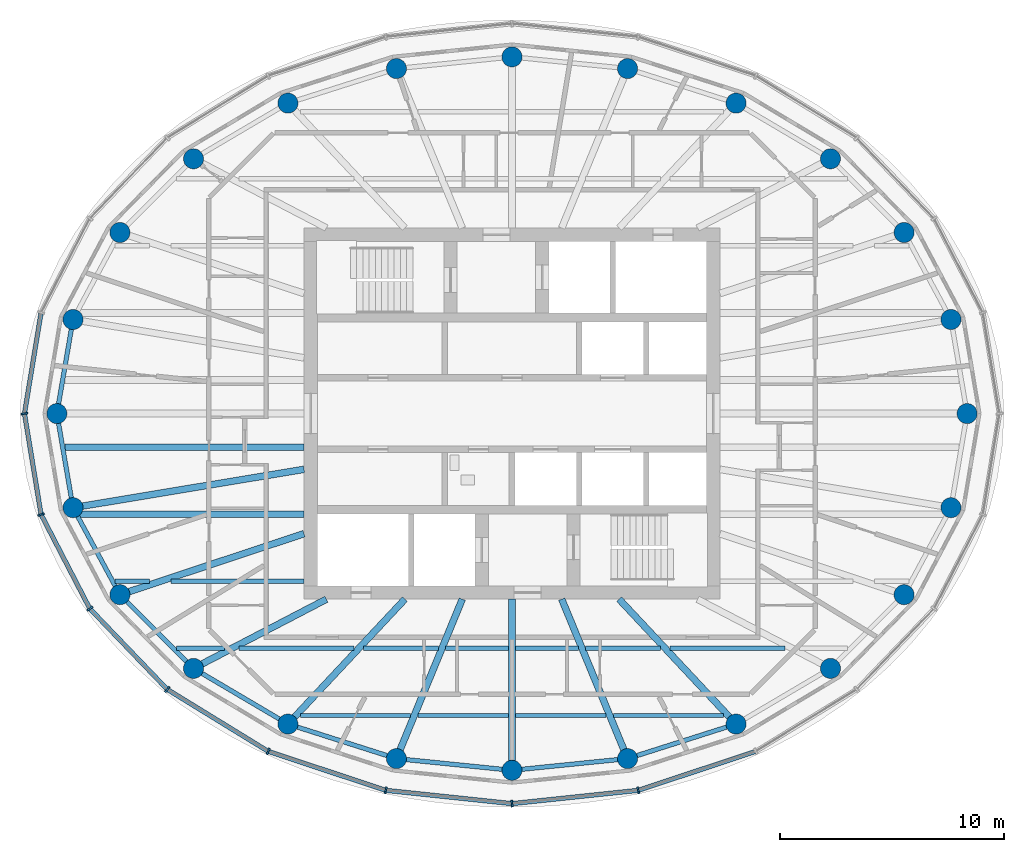
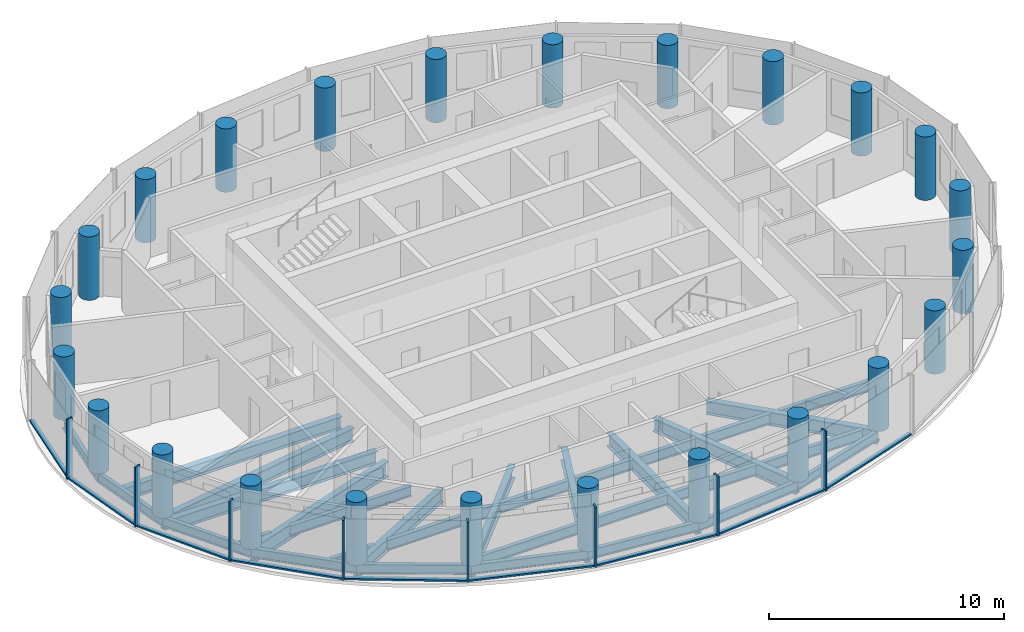
# One storey, part 1 of 12: 32 beams, 24 columns, 17 members, 3 elements without a shape of their own.
"""IFC4 building model written with IfcOpenShell, lengths in metres."""

from ifc_helpers import new_model, si_unit, direction, frame, origin, origin_2d, place, context, subcontext, project, spatial, rectangle, circle, i_section, extrude, material, material_profile, profile_set, type_object, element, aggregate, save


model = new_model("IFC4")

# Units and contexts
model_context = context("Model", 3, precision=1e-05, world=origin(), true_north=direction((0.0, 1.0)))
body_context = subcontext(model_context, "Body", "Model", "MODEL_VIEW")
ifc_project = project(units=[si_unit("LENGTHUNIT", "METRE"), si_unit("AREAUNIT", "SQUARE_METRE"), si_unit("VOLUMEUNIT", "CUBIC_METRE"), si_unit("PLANEANGLEUNIT", "RADIAN"), si_unit("MASSUNIT", "GRAM", prefix="KILO")], contexts=[model_context])

# Site, building, storey
site_placement = place(None, origin())
site = spatial("IfcSite", under=ifc_project, at=site_placement, CompositionType="ELEMENT")
building_placement = place(site_placement, origin())
building = spatial("IfcBuilding", under=site, at=building_placement, Name="Hankou Lantern Tower", CompositionType="ELEMENT")
storey_placement = place(building_placement, frame((0.0, 0.0, 222.60009765625)))
storey = spatial("IfcBuildingStorey", under=building, at=storey_placement, Name="L60", CompositionType="ELEMENT", Elevation=222.60009765625)

# Columns
ifc_material_1 = material(Name="Concrete C50", Category="concrete")
ifc_material_profile_1 = material_profile(ifc_material_1, circle(Radius=0.449951171875, at=origin_2d()), Name="RC D900")
ifc_profile_set_1 = profile_set([ifc_material_profile_1], Name="Concrete C50")
column_type = type_object("IfcColumnType", Name="TC5 PERIMETER COLUMN RC D900", PredefinedType="COLUMN", material=ifc_profile_set_1)
for number, where, z_axis, x_axis, name in (
    (1, (20.35009765625, 0.0, 0.0), (0.0, 0.0, 1.0), (1.0, 0.0, 0.0), "Column R01 L60"),
    (2, (19.629150390625, 4.207763671875, 0.0), (0.0, 0.0, 1.0), (1.0, 0.0, 0.0), "Column R02 L60"),
    (3, (17.5322265625, 8.097900390625, 0.0), (0.0, 0.0, 1.0), (1.0, 0.0, 0.0), "Column R03 L60"),
    (4, (14.241455078125, 11.393310546875, 0.0), (0.0, 0.0, 1.0), (1.0, 0.0, 0.0), "Column R04 L60"),
    (5, (10.01904296875, 13.8828125, 0.0), (0.0, 0.0, 1.0), (1.0, 0.0, 0.0), "Column R05 L60"),
    (6, (5.167236328125, 15.42724609375, 0.0), (0.0, 0.0, 1.0), (1.0, 0.0, 0.0), "Column R06 L60"),
    (7, (0.0, 15.949951171875, 0.0), (0.0, 0.0, 1.0), (1.0, 0.0, 0.0), "Column R07 L60"),
    (8, (-5.167236328125, 15.42724609375, 0.0), (0.0, 0.0, 1.0), (1.0, 0.0, 0.0), "Column R08 L60"),
    (9, (-10.01904296875, 13.8828125, 0.0), (0.0, 0.0, 1.0), (1.0, 0.0, 0.0), "Column R09 L60"),
    (10, (-14.241455078125, 11.393310546875, 0.0), (0.0, 0.0, 1.0), (1.0, 0.0, 0.0), "Column R10 L60"),
    (11, (-17.5322265625, 8.097900390625, 0.0), (0.0, 0.0, 1.0), (1.0, 0.0, 0.0), "Column R11 L60"),
    (12, (-19.629150390625, 4.207763671875, 0.0), (0.0, 0.0, 1.0), (1.0, 0.0, 0.0), "Column R12 L60"),
    (13, (-20.35009765625, 0.0, 0.0), (0.0, 0.0, 1.0), (1.0, 0.0, 0.0), "Column R13 L60"),
    (14, (-19.629150390625, -4.207763671875, 0.0), (0.0, 0.0, 1.0), (1.0, 0.0, 0.0), "Column R14 L60"),
    (15, (-17.5322265625, -8.097900390625, 0.0), (0.0, 0.0, 1.0), (1.0, 0.0, 0.0), "Column R15 L60"),
    (16, (-14.241455078125, -11.393310546875, 0.0), (0.0, 0.0, 1.0), (1.0, 0.0, 0.0), "Column R16 L60"),
    (17, (-10.01904296875, -13.8828125, 0.0), (0.0, 0.0, 1.0), (1.0, 0.0, 0.0), "Column R17 L60"),
    (18, (-5.167236328125, -15.42724609375, 0.0), (0.0, 0.0, 1.0), (1.0, 0.0, 0.0), "Column R18 L60"),
    (19, (0.0, -15.949951171875, 0.0), (0.0, 0.0, 1.0), (1.0, 0.0, 0.0), "Column R19 L60"),
    (20, (5.167236328125, -15.42724609375, 0.0), (0.0, 0.0, 1.0), (1.0, 0.0, 0.0), "Column R20 L60"),
    (21, (10.01904296875, -13.8828125, 0.0), (0.0, 0.0, 1.0), (1.0, 0.0, 0.0), "Column R21 L60"),
    (22, (14.241455078125, -11.393310546875, 0.0), (0.0, 0.0, 1.0), (1.0, 0.0, 0.0), "Column R22 L60"),
    (23, (17.5322265625, -8.097900390625, 0.0), (0.0, 0.0, 1.0), (1.0, 0.0, 0.0), "Column R23 L60"),
    (24, (19.629150390625, -4.207763671875, 0.0), (0.0, 0.0, 1.0), (1.0, 0.0, 0.0), "Column R24 L60"),
):
    element("IfcColumn", number, at=place(storey_placement, frame(where, z_axis=z_axis, x_axis=x_axis)), inside=storey, type_object=column_type, Name=name, PredefinedType="COLUMN", context=body_context, shape_type="SweptSolid", body=[
        extrude(circle(Radius=0.449951171875, at=origin_2d()), origin(), (0.0, 0.0, 1.0), 3.2998046875),
    ])

# Beams
ifc_material_2 = material(Name="Steel Q355B", Category="steel")
ifc_material_profile_2 = material_profile(ifc_material_2, i_section(OverallWidth=0.199951171875, OverallDepth=0.5, WebThickness=0.010009765625, FlangeThickness=0.01611328125, FilletRadius=0.012939453125, at=origin_2d()), Name="HN500x200x10x16")
ifc_profile_set_2 = profile_set([ifc_material_profile_2], Name="Steel Q355B")
beam_type_1 = type_object("IfcBeamType", Name="EB5 RING BEAM HN500x200x10x16", PredefinedType="SPANDREL", material=ifc_profile_set_2)
for number, where, z_axis, x_axis, name in (
    (25, (-19.629150390625, 4.207763671875, -0.43017578125), (-0.168876512999, -0.98563721691, 0.0), (0.98563721691, -0.168876512999, 0.0), "Ring beam R12-R13 L60"),
    (26, (-20.35009765625, 0.0, -0.43017578125), (0.168876512999, -0.98563721691, 0.0), (0.98563721691, 0.168876512999, 0.0), "Ring beam R13-R14 L60"),
):
    element("IfcBeam", number, at=place(storey_placement, frame(where, z_axis=z_axis, x_axis=x_axis)), inside=storey, type_object=beam_type_1, Name=name, PredefinedType="SPANDREL", context=body_context, shape_type="SweptSolid", body=[
        extrude(i_section(OverallWidth=0.199951171875, OverallDepth=0.5, WebThickness=0.010009765625, FlangeThickness=0.01611328125, FilletRadius=0.012939453125, at=origin_2d()), origin(), (0.0, 0.0, 1.0), 4.26904296875),
    ])
beam_1_placement = place(storey_placement, frame((-19.629150390625, -4.207763671875, -0.43017578125), z_axis=(0.474491806611, -0.880259919262, 0.0), x_axis=(0.880259919262, 0.474491806611, 0.0)))
element("IfcBeam", 27, at=beam_1_placement, inside=storey, type_object=beam_type_1, Name="Ring beam R14-R15 L60", PredefinedType="SPANDREL", context=body_context, shape_type="SweptSolid", body=[
    extrude(i_section(OverallWidth=0.199951171875, OverallDepth=0.5, WebThickness=0.010009765625, FlangeThickness=0.01611328125, FilletRadius=0.012939453125, at=origin_2d()), origin(), (0.0, 0.0, 1.0), 4.419189453125),
])
beam_2_placement = place(storey_placement, frame((-17.5322265625, -8.097900390625, -0.43017578125), z_axis=(0.706608588034, -0.707604623583, 0.0), x_axis=(0.707604623583, 0.706608588034, 0.0)))
element("IfcBeam", 28, at=beam_2_placement, inside=storey, type_object=beam_type_1, Name="Ring beam R15-R16 L60", PredefinedType="SPANDREL", context=body_context, shape_type="SweptSolid", body=[
    extrude(i_section(OverallWidth=0.199951171875, OverallDepth=0.5, WebThickness=0.010009765625, FlangeThickness=0.01611328125, FilletRadius=0.012939453125, at=origin_2d()), origin(), (0.0, 0.0, 1.0), 4.6572265625),
])
beam_3_placement = place(storey_placement, frame((-14.241455078125, -11.393310546875, -0.43017578125), z_axis=(0.861422897323, -0.507888365655, 0.0), x_axis=(0.507888365655, 0.861422897323, 0.0)))
element("IfcBeam", 29, at=beam_3_placement, inside=storey, type_object=beam_type_1, Name="Ring beam R16-R17 L60", PredefinedType="SPANDREL", context=body_context, shape_type="SweptSolid", body=[
    extrude(i_section(OverallWidth=0.199951171875, OverallDepth=0.5, WebThickness=0.010009765625, FlangeThickness=0.01611328125, FilletRadius=0.012939453125, at=origin_2d()), origin(), (0.0, 0.0, 1.0), 4.901611328125),
])
beam_4_placement = place(storey_placement, frame((-10.01904296875, -13.8828125, -0.43017578125), z_axis=(0.952887359315, -0.303324381574, 0.0), x_axis=(0.303324381574, 0.952887359315, 0.0)))
element("IfcBeam", 30, at=beam_4_placement, inside=storey, type_object=beam_type_1, Name="Ring beam R17-R18 L60", PredefinedType="SPANDREL", context=body_context, shape_type="SweptSolid", body=[
    extrude(i_section(OverallWidth=0.199951171875, OverallDepth=0.5, WebThickness=0.010009765625, FlangeThickness=0.01611328125, FilletRadius=0.012939453125, at=origin_2d()), origin(), (0.0, 0.0, 1.0), 5.091796875),
])
for number, where, z_axis, x_axis, name in (
    (31, (-5.167236328125, -15.42724609375, -0.43017578125), (0.994922507736, -0.100643944676, 0.0), (0.100643944676, 0.994922507736, 0.0), "Ring beam R18-R19 L60"),
    (32, (0.0, -15.949951171875, -0.43017578125), (0.994922507736, 0.100643944676, 0.0), (-0.100643944676, 0.994922507736, 0.0), "Ring beam R19-R20 L60"),
):
    element("IfcBeam", number, at=place(storey_placement, frame(where, z_axis=z_axis, x_axis=x_axis)), inside=storey, type_object=beam_type_1, Name=name, PredefinedType="SPANDREL", context=body_context, shape_type="SweptSolid", body=[
        extrude(i_section(OverallWidth=0.199951171875, OverallDepth=0.5, WebThickness=0.010009765625, FlangeThickness=0.01611328125, FilletRadius=0.012939453125, at=origin_2d()), origin(), (0.0, 0.0, 1.0), 5.193603515625),
    ])
beam_5_placement = place(storey_placement, frame((5.167236328125, -15.42724609375, -0.43017578125), z_axis=(0.952887359315, 0.303324381574, 0.0), x_axis=(-0.303324381574, 0.952887359315, 0.0)))
element("IfcBeam", 33, at=beam_5_placement, inside=storey, type_object=beam_type_1, Name="Ring beam R20-R21 L60", PredefinedType="SPANDREL", context=body_context, shape_type="SweptSolid", body=[
    extrude(i_section(OverallWidth=0.199951171875, OverallDepth=0.5, WebThickness=0.010009765625, FlangeThickness=0.01611328125, FilletRadius=0.012939453125, at=origin_2d()), origin(), (0.0, 0.0, 1.0), 5.091796875),
])

# Curtain wall, members
ifc_material_3 = material(Name="Glass, dark grey tinted laminated", Category="glass")
curtain_wall_type = type_object("IfcCurtainWallType", Name="CWD OUTER SKIN SUITE", PredefinedType="USERDEFINED", material=ifc_material_3)
curtain_wall_1_placement = place(storey_placement, origin())
curtain_wall_1 = element("IfcCurtainWall", 34, at=curtain_wall_1_placement, inside=storey, type_object=curtain_wall_type, Name="CWD L60 OS3", ObjectType="OUTER SKIN SUITE", PredefinedType="USERDEFINED")
ifc_material_4 = material(Name="Aluminium, black anodised", Category="aluminium")
ifc_material_profile_3 = material_profile(ifc_material_4, rectangle(XDim=0.080078125, YDim=0.300048828125, at=origin_2d()), Name="MU1 80X300")
ifc_profile_set_3 = profile_set([ifc_material_profile_3], Name="Aluminium, black anodised")
member_type_1 = type_object("IfcMemberType", Name="MU1 OUTER SKIN MULLION 80X300", PredefinedType="MULLION", material=ifc_profile_set_3)
member_1_placement = place(storey_placement, frame((-21.800048828125, 0.0, 0.0), z_axis=(0.0, 0.0, 1.0), x_axis=(0.162381515188, -0.986728049427, 0.0)))
member_1 = element("IfcMember", 35, at=member_1_placement, type_object=member_type_1, Name="CWD mullion 1", PredefinedType="MULLION", context=body_context, shape_type="SweptSolid", body=[
    extrude(rectangle(XDim=0.080078125, YDim=0.300048828125, at=origin_2d()), origin(), (0.0, 0.0, 1.0), 3.119873046875),
])
member_2_placement = place(storey_placement, frame((-21.05712890625, -4.513916015625, 0.0), z_axis=(0.0, 0.0, 1.0), x_axis=(0.317595577365, -0.94822626479, 0.0)))
member_2 = element("IfcMember", 36, at=member_2_placement, type_object=member_type_1, Name="CWD mullion 2", PredefinedType="MULLION", context=body_context, shape_type="SweptSolid", body=[
    extrude(rectangle(XDim=0.080078125, YDim=0.300048828125, at=origin_2d()), origin(), (0.0, 0.0, 1.0), 3.119873046875),
])
member_3_placement = place(storey_placement, frame((-18.87939453125, -8.719970703125, 0.0), z_axis=(0.0, 0.0, 1.0), x_axis=(0.585205735974, -0.810884854084, 0.0)))
member_3 = element("IfcMember", 37, at=member_3_placement, type_object=member_type_1, Name="CWD mullion 3", PredefinedType="MULLION", context=body_context, shape_type="SweptSolid", body=[
    extrude(rectangle(XDim=0.080078125, YDim=0.300048828125, at=origin_2d()), origin(), (0.0, 0.0, 1.0), 3.119873046875),
])
member_4_placement = place(storey_placement, frame((-15.4150390625, -12.33203125, 0.0), z_axis=(0.0, 0.0, 1.0), x_axis=(0.780868809444, -0.624695047553, 0.0)))
member_4 = element("IfcMember", 38, at=member_4_placement, type_object=member_type_1, Name="CWD mullion 4", PredefinedType="MULLION", context=body_context, shape_type="SweptSolid", body=[
    extrude(rectangle(XDim=0.080078125, YDim=0.300048828125, at=origin_2d()), origin(), (0.0, 0.0, 1.0), 3.119873046875),
])
member_5_placement = place(storey_placement, frame((-10.89990234375, -15.103515625, 0.0), z_axis=(0.0, 0.0, 1.0), x_axis=(0.907841299004, -0.419313934686, 0.0)))
member_5 = element("IfcMember", 39, at=member_5_placement, type_object=member_type_1, Name="CWD mullion 5", PredefinedType="MULLION", context=body_context, shape_type="SweptSolid", body=[
    extrude(rectangle(XDim=0.080078125, YDim=0.300048828125, at=origin_2d()), origin(), (0.0, 0.0, 1.0), 3.119873046875),
])
member_6_placement = place(storey_placement, frame((-5.642333984375, -16.845703125, 0.0), z_axis=(0.0, 0.0, 1.0), x_axis=(0.977787659625, -0.209597931016, 0.0)))
member_6 = element("IfcMember", 40, at=member_6_placement, type_object=member_type_1, Name="CWD mullion 6", PredefinedType="MULLION", context=body_context, shape_type="SweptSolid", body=[
    extrude(rectangle(XDim=0.080078125, YDim=0.300048828125, at=origin_2d()), origin(), (0.0, 0.0, 1.0), 3.119873046875),
])

curtain_wall_2_placement = place(storey_placement, origin())
curtain_wall_2 = element("IfcCurtainWall", 41, at=curtain_wall_2_placement, inside=storey, type_object=curtain_wall_type, Name="CWD L60 OS4", ObjectType="OUTER SKIN SUITE", PredefinedType="USERDEFINED")
member_7_placement = place(storey_placement, frame((0.0, -17.43994140625, 0.0), z_axis=(0.0, 0.0, 1.0), x_axis=(0.994499359107, 0.104742659579, 0.0)))
member_7 = element("IfcMember", 42, at=member_7_placement, type_object=member_type_1, Name="CWD mullion 1", PredefinedType="MULLION", context=body_context, shape_type="SweptSolid", body=[
    extrude(rectangle(XDim=0.080078125, YDim=0.300048828125, at=origin_2d()), origin(), (0.0, 0.0, 1.0), 3.119873046875),
])
member_8_placement = place(storey_placement, frame((5.642333984375, -16.845703125, 0.0), z_axis=(0.0, 0.0, 1.0), x_axis=(0.977787659625, 0.209597931016, 0.0)))
member_8 = element("IfcMember", 43, at=member_8_placement, type_object=member_type_1, Name="CWD mullion 2", PredefinedType="MULLION", context=body_context, shape_type="SweptSolid", body=[
    extrude(rectangle(XDim=0.080078125, YDim=0.300048828125, at=origin_2d()), origin(), (0.0, 0.0, 1.0), 3.119873046875),
])

# Beams
ifc_material_5 = material(Name="Steel Q355B", Category="steel")
ifc_material_profile_4 = material_profile(ifc_material_5, i_section(OverallWidth=0.300048828125, OverallDepth=0.800048828125, WebThickness=0.013916015625, FlangeThickness=0.02587890625, FilletRadius=0.01806640625, at=origin_2d()), Name="HN800x300x14x26")
ifc_profile_set_4 = profile_set([ifc_material_profile_4], Name="Steel Q355B")
beam_type_2 = type_object("IfcBeamType", Name="RB11 RADIAL BEAM HN800x300x14x26", PredefinedType="BEAM", material=ifc_profile_set_4)
beam_6_placement = place(storey_placement, frame((-9.300048828125, -5.369384765625, -0.580078125), z_axis=(-0.949219608576, -0.314614263337, 0.0), x_axis=(0.314614263337, -0.949219608576, 0.0)))
element("IfcBeam", 44, at=beam_6_placement, inside=storey, type_object=beam_type_2, Name="Radial beam R15 L60", PredefinedType="BEAM", context=body_context, shape_type="SweptSolid", body=[
    extrude(i_section(OverallWidth=0.300048828125, OverallDepth=0.800048828125, WebThickness=0.013916015625, FlangeThickness=0.02587890625, FilletRadius=0.01806640625, at=origin_2d()), origin(), (0.0, 0.0, 1.0), 8.672607421875),
])
ifc_material_6 = material(Name="Steel Q355B", Category="steel")
ifc_material_profile_5 = material_profile(ifc_material_6, i_section(OverallWidth=0.300048828125, OverallDepth=0.699951171875, WebThickness=0.012939453125, FlangeThickness=0.02392578125, FilletRadius=0.01806640625, at=origin_2d()), Name="HN700x300x13x24")
ifc_profile_set_5 = profile_set([ifc_material_profile_5], Name="Steel Q355B")
beam_type_3 = type_object("IfcBeamType", Name="RB9 RADIAL BEAM HN700x300x13x24", PredefinedType="BEAM", material=ifc_profile_set_5)
beam_7_placement = place(storey_placement, frame((-9.300048828125, -2.491943359375, -0.530029296875), z_axis=(-0.986482007061, -0.163869612027, 0.0), x_axis=(0.163869612027, -0.986482007061, 0.0)))
element("IfcBeam", 45, at=beam_7_placement, inside=storey, type_object=beam_type_3, Name="Radial beam R14 L60", PredefinedType="BEAM", context=body_context, shape_type="SweptSolid", body=[
    extrude(i_section(OverallWidth=0.300048828125, OverallDepth=0.699951171875, WebThickness=0.012939453125, FlangeThickness=0.02392578125, FilletRadius=0.01806640625, at=origin_2d()), origin(), (0.0, 0.0, 1.0), 10.470703125),
])
beam_8_placement = place(storey_placement, frame((-8.300048828125, -8.300048828125, -0.530029296875), z_axis=(-0.886988734783, -0.461791061378, 0.0), x_axis=(0.461791061378, -0.886988734783, 0.0)))
element("IfcBeam", 46, at=beam_8_placement, inside=storey, type_object=beam_type_3, Name="Radial beam R16 L60", PredefinedType="BEAM", context=body_context, shape_type="SweptSolid", body=[
    extrude(i_section(OverallWidth=0.300048828125, OverallDepth=0.699951171875, WebThickness=0.012939453125, FlangeThickness=0.02392578125, FilletRadius=0.01806640625, at=origin_2d()), origin(), (0.0, 0.0, 1.0), 6.698486328125),
])
beam_9_placement = place(storey_placement, frame((-4.7919921875, -8.300048828125, -0.530029296875), z_axis=(-0.68346844743, -0.729980055459, 0.0), x_axis=(0.729980055459, -0.68346844743, 0.0)))
element("IfcBeam", 47, at=beam_9_placement, inside=storey, type_object=beam_type_3, Name="Radial beam R17 L60", PredefinedType="BEAM", context=body_context, shape_type="SweptSolid", body=[
    extrude(i_section(OverallWidth=0.300048828125, OverallDepth=0.699951171875, WebThickness=0.012939453125, FlangeThickness=0.02392578125, FilletRadius=0.01806640625, at=origin_2d()), origin(), (0.0, 0.0, 1.0), 7.64794921875),
])
beam_10_placement = place(storey_placement, frame((-2.223876953125, -8.300048828125, -0.530029296875), z_axis=(-0.381706648123, -0.924283525104, 0.0), x_axis=(0.924283525104, -0.381706648123, 0.0)))
element("IfcBeam", 48, at=beam_10_placement, inside=storey, type_object=beam_type_3, Name="Radial beam R18 L60", PredefinedType="BEAM", context=body_context, shape_type="SweptSolid", body=[
    extrude(i_section(OverallWidth=0.300048828125, OverallDepth=0.699951171875, WebThickness=0.012939453125, FlangeThickness=0.02392578125, FilletRadius=0.01806640625, at=origin_2d()), origin(), (0.0, 0.0, 1.0), 7.7109375),
])
beam_11_placement = place(storey_placement, frame((0.0, -8.300048828125, -0.530029296875), z_axis=(0.0, -1.0, 0.0), x_axis=(1.0, 0.0, 0.0)))
element("IfcBeam", 49, at=beam_11_placement, inside=storey, type_object=beam_type_3, Name="Radial beam R19 L60", PredefinedType="BEAM", context=body_context, shape_type="SweptSolid", body=[
    extrude(i_section(OverallWidth=0.300048828125, OverallDepth=0.699951171875, WebThickness=0.012939453125, FlangeThickness=0.02392578125, FilletRadius=0.01806640625, at=origin_2d()), origin(), (0.0, 0.0, 1.0), 7.64990234375),
])
beam_12_placement = place(storey_placement, frame((2.223876953125, -8.300048828125, -0.530029296875), z_axis=(0.381706648123, -0.924283525104, 0.0), x_axis=(0.924283525104, 0.381706648123, 0.0)))
element("IfcBeam", 50, at=beam_12_placement, inside=storey, type_object=beam_type_3, Name="Radial beam R20 L60", PredefinedType="BEAM", context=body_context, shape_type="SweptSolid", body=[
    extrude(i_section(OverallWidth=0.300048828125, OverallDepth=0.699951171875, WebThickness=0.012939453125, FlangeThickness=0.02392578125, FilletRadius=0.01806640625, at=origin_2d()), origin(), (0.0, 0.0, 1.0), 7.7109375),
])
beam_13_placement = place(storey_placement, frame((4.7919921875, -8.300048828125, -0.530029296875), z_axis=(0.68346844743, -0.729980055459, 0.0), x_axis=(0.729980055459, 0.68346844743, 0.0)))
element("IfcBeam", 51, at=beam_13_placement, inside=storey, type_object=beam_type_3, Name="Radial beam R21 L60", PredefinedType="BEAM", context=body_context, shape_type="SweptSolid", body=[
    extrude(i_section(OverallWidth=0.300048828125, OverallDepth=0.699951171875, WebThickness=0.012939453125, FlangeThickness=0.02392578125, FilletRadius=0.01806640625, at=origin_2d()), origin(), (0.0, 0.0, 1.0), 7.64794921875),
])
ifc_material_7 = material(Name="Steel Q355B", Category="steel")
ifc_material_profile_6 = material_profile(ifc_material_7, i_section(OverallWidth=0.199951171875, OverallDepth=0.550048828125, WebThickness=0.010009765625, FlangeThickness=0.01611328125, FilletRadius=0.012939453125, at=origin_2d()), Name="HN550x200x10x16")
ifc_profile_set_6 = profile_set([ifc_material_profile_6], Name="Steel Q355B")
beam_type_4 = type_object("IfcBeamType", Name="SB6 SECONDARY BEAM HN550x200x10x16", PredefinedType="JOIST", material=ifc_profile_set_6)
beam_14_placement = place(storey_placement, frame((-9.455078125, -13.5, -0.455078125), z_axis=(1.0, 0.0, 0.0), x_axis=(0.0, 1.0, 0.0)))
element("IfcBeam", 52, at=beam_14_placement, inside=storey, type_object=beam_type_4, Name="Floor joist J001 L60", PredefinedType="JOIST", context=body_context, shape_type="SweptSolid", body=[
    extrude(i_section(OverallWidth=0.199951171875, OverallDepth=0.550048828125, WebThickness=0.010009765625, FlangeThickness=0.01611328125, FilletRadius=0.012939453125, at=origin_2d()), origin(), (0.0, 0.0, 1.0), 4.92138671875),
])
for number, where, z_axis, x_axis, name in (
    (53, (-4.208984375, -13.5, -0.455078125), (1.0, 0.0, 0.0), (0.0, 1.0, 0.0), "Floor joist J002 L60"),
    (54, (0.14990234375, -13.5, -0.455078125), (1.0, 0.0, 0.0), (0.0, 1.0, 0.0), "Floor joist J003 L60"),
):
    element("IfcBeam", number, at=place(storey_placement, frame(where, z_axis=z_axis, x_axis=x_axis)), inside=storey, type_object=beam_type_4, Name=name, PredefinedType="JOIST", context=body_context, shape_type="SweptSolid", body=[
        extrude(i_section(OverallWidth=0.199951171875, OverallDepth=0.550048828125, WebThickness=0.010009765625, FlangeThickness=0.01611328125, FilletRadius=0.012939453125, at=origin_2d()), origin(), (0.0, 0.0, 1.0), 4.05908203125),
    ])
beam_15_placement = place(storey_placement, frame((4.53369140625, -13.5, -0.455078125), z_axis=(1.0, 0.0, 0.0), x_axis=(0.0, 1.0, 0.0)))
element("IfcBeam", 55, at=beam_15_placement, inside=storey, type_object=beam_type_4, Name="Floor joist J004 L60", PredefinedType="JOIST", context=body_context, shape_type="SweptSolid", body=[
    extrude(i_section(OverallWidth=0.199951171875, OverallDepth=0.550048828125, WebThickness=0.010009765625, FlangeThickness=0.01611328125, FilletRadius=0.012939453125, at=origin_2d()), origin(), (0.0, 0.0, 1.0), 4.92138671875),
])
beam_16_placement = place(storey_placement, frame((-14.9921875, -10.5, -0.455078125), z_axis=(1.0, 0.0, 0.0), x_axis=(0.0, 1.0, 0.0)))
element("IfcBeam", 56, at=beam_16_placement, inside=storey, type_object=beam_type_4, Name="Floor joist J005 L60", PredefinedType="JOIST", context=body_context, shape_type="SweptSolid", body=[
    extrude(i_section(OverallWidth=0.199951171875, OverallDepth=0.550048828125, WebThickness=0.010009765625, FlangeThickness=0.01611328125, FilletRadius=0.012939453125, at=origin_2d()), origin(), (0.0, 0.0, 1.0), 2.1416015625),
])
beam_17_placement = place(storey_placement, frame((-12.200927734375, -10.5, -0.455078125), z_axis=(1.0, 0.0, 0.0), x_axis=(0.0, 1.0, 0.0)))
element("IfcBeam", 57, at=beam_17_placement, inside=storey, type_object=beam_type_4, Name="Floor joist J006 L60", PredefinedType="JOIST", context=body_context, shape_type="SweptSolid", body=[
    extrude(i_section(OverallWidth=0.199951171875, OverallDepth=0.550048828125, WebThickness=0.010009765625, FlangeThickness=0.01611328125, FilletRadius=0.012939453125, at=origin_2d()), origin(), (0.0, 0.0, 1.0), 5.1435546875),
])
beam_18_placement = place(storey_placement, frame((-6.646240234375, -10.5, -0.455078125), z_axis=(1.0, 0.0, 0.0), x_axis=(0.0, 1.0, 0.0)))
element("IfcBeam", 58, at=beam_18_placement, inside=storey, type_object=beam_type_4, Name="Floor joist J007 L60", PredefinedType="JOIST", context=body_context, shape_type="SweptSolid", body=[
    extrude(i_section(OverallWidth=0.199951171875, OverallDepth=0.550048828125, WebThickness=0.010009765625, FlangeThickness=0.01611328125, FilletRadius=0.012939453125, at=origin_2d()), origin(), (0.0, 0.0, 1.0), 3.3515625),
])
for number, where, z_axis, x_axis, name in (
    (59, (-2.97021484375, -10.5, -0.455078125), (1.0, 0.0, 0.0), (0.0, 1.0, 0.0), "Floor joist J008 L60"),
    (60, (0.14990234375, -10.5, -0.455078125), (1.0, 0.0, 0.0), (0.0, 1.0, 0.0), "Floor joist J009 L60"),
):
    element("IfcBeam", number, at=place(storey_placement, frame(where, z_axis=z_axis, x_axis=x_axis)), inside=storey, type_object=beam_type_4, Name=name, PredefinedType="JOIST", context=body_context, shape_type="SweptSolid", body=[
        extrude(i_section(OverallWidth=0.199951171875, OverallDepth=0.550048828125, WebThickness=0.010009765625, FlangeThickness=0.01611328125, FilletRadius=0.012939453125, at=origin_2d()), origin(), (0.0, 0.0, 1.0), 2.8203125),
    ])
beam_19_placement = place(storey_placement, frame((3.294677734375, -10.5, -0.455078125), z_axis=(1.0, 0.0, 0.0), x_axis=(0.0, 1.0, 0.0)))
element("IfcBeam", 61, at=beam_19_placement, inside=storey, type_object=beam_type_4, Name="Floor joist J010 L60", PredefinedType="JOIST", context=body_context, shape_type="SweptSolid", body=[
    extrude(i_section(OverallWidth=0.199951171875, OverallDepth=0.550048828125, WebThickness=0.010009765625, FlangeThickness=0.01611328125, FilletRadius=0.012939453125, at=origin_2d()), origin(), (0.0, 0.0, 1.0), 3.3515625),
])
beam_20_placement = place(storey_placement, frame((7.057373046875, -10.5, -0.455078125), z_axis=(1.0, 0.0, 0.0), x_axis=(0.0, 1.0, 0.0)))
element("IfcBeam", 62, at=beam_20_placement, inside=storey, type_object=beam_type_4, Name="Floor joist J011 L60", PredefinedType="JOIST", context=body_context, shape_type="SweptSolid", body=[
    extrude(i_section(OverallWidth=0.199951171875, OverallDepth=0.550048828125, WebThickness=0.010009765625, FlangeThickness=0.01611328125, FilletRadius=0.012939453125, at=origin_2d()), origin(), (0.0, 0.0, 1.0), 5.1435546875),
])
beam_21_placement = place(storey_placement, frame((-17.740966796875, -7.5, -0.455078125), z_axis=(1.0, 0.0, 0.0), x_axis=(0.0, 1.0, 0.0)))
element("IfcBeam", 63, at=beam_21_placement, inside=storey, type_object=beam_type_4, Name="Floor joist J013 L60", PredefinedType="JOIST", context=body_context, shape_type="SweptSolid", body=[
    extrude(i_section(OverallWidth=0.199951171875, OverallDepth=0.550048828125, WebThickness=0.010009765625, FlangeThickness=0.01611328125, FilletRadius=0.012939453125, at=origin_2d()), origin(), (0.0, 0.0, 1.0), 1.53564453125),
])
beam_22_placement = place(storey_placement, frame((-15.251708984375, -7.5, -0.455078125), z_axis=(1.0, 0.0, 0.0), x_axis=(0.0, 1.0, 0.0)))
element("IfcBeam", 64, at=beam_22_placement, inside=storey, type_object=beam_type_4, Name="Floor joist J014 L60", PredefinedType="JOIST", context=body_context, shape_type="SweptSolid", body=[
    extrude(i_section(OverallWidth=0.199951171875, OverallDepth=0.550048828125, WebThickness=0.010009765625, FlangeThickness=0.01611328125, FilletRadius=0.012939453125, at=origin_2d()), origin(), (0.0, 0.0, 1.0), 5.95166015625),
])
ifc_material_8 = material(Name="Steel Q355B", Category="steel")
ifc_material_profile_7 = material_profile(ifc_material_8, i_section(OverallWidth=0.300048828125, OverallDepth=0.64990234375, WebThickness=0.010986328125, FlangeThickness=0.01708984375, FilletRadius=0.01806640625, at=origin_2d()), Name="HN650x300x11x17")
ifc_profile_set_7 = profile_set([ifc_material_profile_7], Name="Steel Q355B")
beam_type_5 = type_object("IfcBeamType", Name="SB8 SECONDARY BEAM HN650x300x11x17", PredefinedType="JOIST", material=ifc_profile_set_7)
beam_23_placement = place(storey_placement, frame((-19.35791015625, -4.5, -0.505126953125), z_axis=(1.0, 0.0, 0.0), x_axis=(0.0, 1.0, 0.0)))
element("IfcBeam", 65, at=beam_23_placement, inside=storey, type_object=beam_type_5, Name="Floor joist J017 L60", PredefinedType="JOIST", context=body_context, shape_type="SweptSolid", body=[
    extrude(i_section(OverallWidth=0.300048828125, OverallDepth=0.64990234375, WebThickness=0.010986328125, FlangeThickness=0.01708984375, FilletRadius=0.01806640625, at=origin_2d()), origin(), (0.0, 0.0, 1.0), 10.057861328125),
])
beam_24_placement = place(storey_placement, frame((-19.991455078125, -1.5, -0.505126953125), z_axis=(1.0, 0.0, 0.0), x_axis=(0.0, 1.0, 0.0)))
element("IfcBeam", 66, at=beam_24_placement, inside=storey, type_object=beam_type_5, Name="Floor joist J019 L60", PredefinedType="JOIST", context=body_context, shape_type="SweptSolid", body=[
    extrude(i_section(OverallWidth=0.300048828125, OverallDepth=0.64990234375, WebThickness=0.010986328125, FlangeThickness=0.01708984375, FilletRadius=0.01806640625, at=origin_2d()), origin(), (0.0, 0.0, 1.0), 10.69140625),
])

# Curtain wall, member
curtain_wall_3_placement = place(storey_placement, origin())
curtain_wall_3 = element("IfcCurtainWall", 67, at=curtain_wall_3_placement, inside=storey, type_object=curtain_wall_type, Name="CWD L60 OS2", ObjectType="OUTER SKIN SUITE", PredefinedType="USERDEFINED")
ifc_material_9 = material(Name="Aluminium, black anodised", Category="aluminium")
ifc_material_profile_8 = material_profile(ifc_material_9, rectangle(XDim=0.199951171875, YDim=0.080078125, at=origin_2d()), Name="TR1 200X80")
ifc_profile_set_8 = profile_set([ifc_material_profile_8], Name="Aluminium, black anodised")
member_type_2 = type_object("IfcMemberType", Name="TR1 OUTER SKIN TRANSOM 200X80", PredefinedType="USERDEFINED", material=ifc_profile_set_8)
member_9_placement = place(storey_placement, frame((-21.063720703125, 4.474365234375, 0.039794921875), z_axis=(-0.162363822839, -0.986730960816, 0.0), x_axis=(0.986730960816, -0.162363822839, 0.0)))
member_9 = element("IfcMember", 68, at=member_9_placement, type_object=member_type_2, Name="CWD transom 6", ObjectType="TRANSOM", PredefinedType="USERDEFINED", context=body_context, shape_type="SweptSolid", body=[
    extrude(rectangle(XDim=0.199951171875, YDim=0.080078125, at=origin_2d()), origin(), (0.0, 0.0, 1.0), 4.494384765625),
])
aggregate(curtain_wall_3, [member_9])

# Member
member_10_placement = place(storey_placement, frame((-21.79345703125, -0.03955078125, 0.039794921875), z_axis=(0.162363822839, -0.986730960816, 0.0), x_axis=(0.986730960816, 0.162363822839, 0.0)))
member_10 = element("IfcMember", 69, at=member_10_placement, type_object=member_type_2, Name="CWD transom 1", ObjectType="TRANSOM", PredefinedType="USERDEFINED", context=body_context, shape_type="SweptSolid", body=[
    extrude(rectangle(XDim=0.199951171875, YDim=0.080078125, at=origin_2d()), origin(), (0.0, 0.0, 1.0), 4.494384765625),
])

member_11_placement = place(storey_placement, frame((-21.038818359375, -4.54931640625, 0.039794921875), z_axis=(0.45979371115, -0.888025755925, 0.0), x_axis=(0.888025755925, 0.45979371115, 0.0)))
member_11 = element("IfcMember", 70, at=member_11_placement, type_object=member_type_2, Name="CWD transom 2", ObjectType="TRANSOM", PredefinedType="USERDEFINED", context=body_context, shape_type="SweptSolid", body=[
    extrude(rectangle(XDim=0.199951171875, YDim=0.080078125, at=origin_2d()), origin(), (0.0, 0.0, 1.0), 4.65673828125),
])

member_12_placement = place(storey_placement, frame((-18.8515625, -8.748779296875, 0.039794921875), z_axis=(0.692204633274, -0.721701285626, 0.0), x_axis=(0.721701285626, 0.692204633274, 0.0)))
member_12 = element("IfcMember", 71, at=member_12_placement, type_object=member_type_2, Name="CWD transom 3", ObjectType="TRANSOM", PredefinedType="USERDEFINED", context=body_context, shape_type="SweptSolid", body=[
    extrude(rectangle(XDim=0.199951171875, YDim=0.080078125, at=origin_2d()), origin(), (0.0, 0.0, 1.0), 4.9248046875),
])

member_13_placement = place(storey_placement, frame((-15.380859375, -12.352783203125, 0.039794921875), z_axis=(0.852234544008, -0.523159900986, 0.0), x_axis=(0.523159900986, 0.852234544008, 0.0)))
member_13 = element("IfcMember", 72, at=member_13_placement, type_object=member_type_2, Name="CWD transom 4", ObjectType="TRANSOM", PredefinedType="USERDEFINED", context=body_context, shape_type="SweptSolid", body=[
    extrude(rectangle(XDim=0.199951171875, YDim=0.080078125, at=origin_2d()), origin(), (0.0, 0.0, 1.0), 5.2177734375),
])

member_14_placement = place(storey_placement, frame((-10.862060546875, -15.115966796875, 0.039794921875), z_axis=(0.949231947668, -0.314577032739, 0.0), x_axis=(0.314577032739, 0.949231947668, 0.0)))
member_14 = element("IfcMember", 73, at=member_14_placement, type_object=member_type_2, Name="CWD transom 5", ObjectType="TRANSOM", PredefinedType="USERDEFINED", context=body_context, shape_type="SweptSolid", body=[
    extrude(rectangle(XDim=0.199951171875, YDim=0.080078125, at=origin_2d()), origin(), (0.0, 0.0, 1.0), 5.458984375),
])

member_15_placement = place(storey_placement, frame((-5.6025390625, -16.849853515625, 0.039794921875), z_axis=(0.994498275726, -0.104752945435, 0.0), x_axis=(0.104752945435, 0.994498275726, 0.0)))
member_15 = element("IfcMember", 74, at=member_15_placement, type_object=member_type_2, Name="CWD transom 6", ObjectType="TRANSOM", PredefinedType="USERDEFINED", context=body_context, shape_type="SweptSolid", body=[
    extrude(rectangle(XDim=0.199951171875, YDim=0.080078125, at=origin_2d()), origin(), (0.0, 0.0, 1.0), 5.593505859375),
])

aggregate(curtain_wall_1, [member_1, member_2, member_3, member_4, member_5, member_6, member_10, member_11, member_12, member_13, member_14, member_15])

member_16_placement = place(storey_placement, frame((0.039794921875, -17.435791015625, 0.039794921875), z_axis=(0.994498275726, 0.104752945435, 0.0), x_axis=(-0.104752945435, 0.994498275726, 0.0)))
member_16 = element("IfcMember", 75, at=member_16_placement, type_object=member_type_2, Name="CWD transom 1", ObjectType="TRANSOM", PredefinedType="USERDEFINED", context=body_context, shape_type="SweptSolid", body=[
    extrude(rectangle(XDim=0.199951171875, YDim=0.080078125, at=origin_2d()), origin(), (0.0, 0.0, 1.0), 5.593505859375),
])

member_17_placement = place(storey_placement, frame((5.68017578125, -16.833251953125, 0.039794921875), z_axis=(0.949231947668, 0.314577032739, 0.0), x_axis=(-0.314577032739, 0.949231947668, 0.0)))
member_17 = element("IfcMember", 76, at=member_17_placement, type_object=member_type_2, Name="CWD transom 2", ObjectType="TRANSOM", PredefinedType="USERDEFINED", context=body_context, shape_type="SweptSolid", body=[
    extrude(rectangle(XDim=0.199951171875, YDim=0.080078125, at=origin_2d()), origin(), (0.0, 0.0, 1.0), 5.458984375),
])

aggregate(curtain_wall_2, [member_7, member_8, member_16, member_17])

save(model, "model.ifc")
